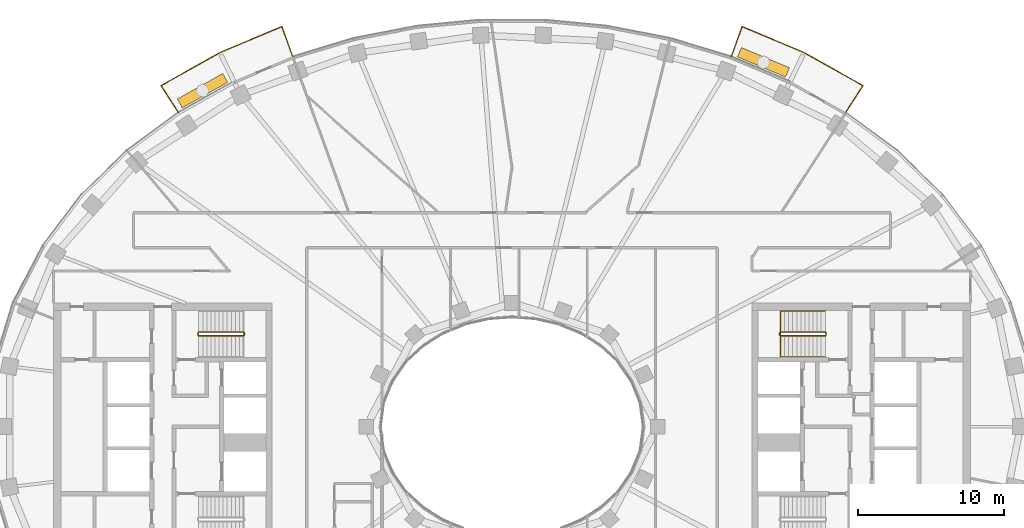
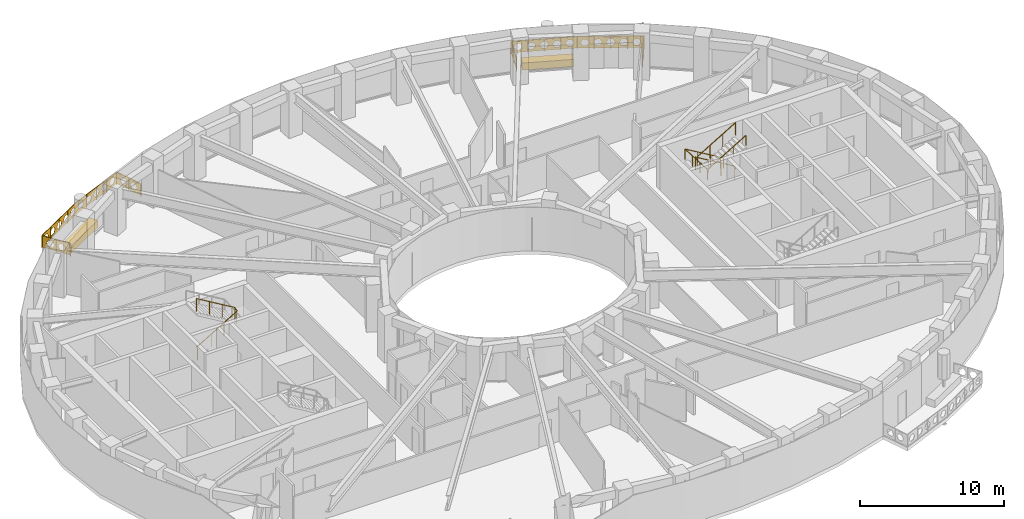
# One storey, part 14 of 15: 5 railings, 2 coverings.
"""IFC4 building model written with IfcOpenShell, lengths in metres."""

from ifc_helpers import new_model, si_unit, direction, frame, origin, origin_2d, place, context, subcontext, project, spatial, polyline, rectangle, outline, extrude, material, type_object, element, save


model = new_model("IFC4")

# Units and contexts
model_context = context("Model", 3, precision=1e-05, world=origin(), true_north=direction((0.0, 1.0)))
body_context = subcontext(model_context, "Body", "Model", "MODEL_VIEW")
ifc_project = project(units=[si_unit("LENGTHUNIT", "METRE"), si_unit("AREAUNIT", "SQUARE_METRE"), si_unit("VOLUMEUNIT", "CUBIC_METRE"), si_unit("PLANEANGLEUNIT", "RADIAN"), si_unit("MASSUNIT", "GRAM", prefix="KILO")], contexts=[model_context])

# Site, building, storey
site_placement = place(None, origin())
site = spatial("IfcSite", under=ifc_project, at=site_placement, CompositionType="ELEMENT")
building_placement = place(site_placement, origin())
building = spatial("IfcBuilding", under=site, at=building_placement, Name="Noorbagh Ring Tower", CompositionType="ELEMENT")
storey_placement = place(building_placement, frame((0.0, 0.0, 253.5)))
storey = spatial("IfcBuildingStorey", under=building, at=storey_placement, Name="L53", CompositionType="ELEMENT", Elevation=253.5)

# Railings
ifc_material_1 = material(Name="Stainless steel", Category="steel")
railing_type_1 = type_object("IfcRailingType", Name="CORE-STAIR-GUARD", PredefinedType="GUARDRAIL", material=ifc_material_1)
railing_1_placement = place(storey_placement, frame((-21.580078125, 6.300048828125, 0.0)))
element("IfcRailing", 1, at=railing_1_placement, inside=storey, type_object=railing_type_1, Name="L53 ST1 stair guard", PredefinedType="GUARDRAIL", context=body_context, shape_type="SweptSolid", body=[
    extrude(rectangle(XDim=0.048095703125, YDim=0.048095703125, at=origin_2d()), frame((0.0, 0.0, 1.076171875), z_axis=(0.0, 1.0, 0.0), x_axis=(-1.0, 0.0, 0.0)), (0.0, 0.0, 1.0), 0.14990234375),
    extrude(rectangle(XDim=0.048095703125, YDim=0.048095703125, at=origin_2d()), frame((0.0, 0.14990234375, 1.076171875), z_axis=(0.188775798145, -0.754182335027, 0.628945707965), x_axis=(0.970072785993, 0.242814311512, 0.0)), (0.0, 0.0, 1.0), 0.26513671875),
    extrude(rectangle(XDim=0.048095703125, YDim=0.048095703125, at=origin_2d()), frame((0.050048828125, -0.050048828125, 1.24267578125), z_axis=(0.859308565015, 0.0, 0.511457515432), x_axis=(0.0, 1.0, 0.0)), (0.0, 0.0, 1.0), 3.58447265625),
    extrude(rectangle(XDim=0.048095703125, YDim=0.048095703125, at=origin_2d()), frame((3.130126953125, -0.050048828125, 3.076171875), z_axis=(0.707106781187, 0.707106781187, 0.0), x_axis=(-0.707106781187, 0.707106781187, 0.0)), (0.0, 0.0, 1.0), 0.07080078125),
    extrude(rectangle(XDim=0.048095703125, YDim=0.048095703125, at=origin_2d()), frame((3.18017578125, 0.0, 3.076171875), z_axis=(0.0, 1.0, 0.0), x_axis=(-1.0, 0.0, 0.0)), (0.0, 0.0, 1.0), 0.14990234375),
    extrude(rectangle(XDim=0.048095703125, YDim=0.048095703125, at=origin_2d()), frame((3.18017578125, 0.14990234375, 3.076171875), z_axis=(-0.27628659633, 0.27628659633, 0.920506074601), x_axis=(-0.707106781187, -0.707106781187, 0.0)), (0.0, 0.0, 1.0), 0.18115234375),
    extrude(rectangle(XDim=0.048095703125, YDim=0.048095703125, at=origin_2d()), frame((3.130126953125, 0.199951171875, 3.24267578125), z_axis=(-0.859308565015, 0.0, 0.511457515432), x_axis=(0.0, -1.0, 0.0)), (0.0, 0.0, 1.0), 3.58447265625),
    extrude(rectangle(XDim=0.0419921875, YDim=0.0419921875, at=origin_2d()), origin(), (0.0, 0.0, 1.0), 1.052001953125),
    extrude(rectangle(XDim=0.0419921875, YDim=0.0419921875, at=origin_2d()), frame((1.07666015625, -0.050048828125, 0.77783203125)), (0.0, 0.0, 1.0), 1.052001953125),
    extrude(rectangle(XDim=0.0419921875, YDim=0.0419921875, at=origin_2d()), frame((2.103515625, -0.050048828125, 1.388916015625)), (0.0, 0.0, 1.0), 1.052001953125),
    extrude(rectangle(XDim=0.0419921875, YDim=0.0419921875, at=origin_2d()), frame((3.130126953125, -0.050048828125, 2.0)), (0.0, 0.0, 1.0), 1.052001953125),
    extrude(rectangle(XDim=0.0419921875, YDim=0.0419921875, at=origin_2d()), frame((3.130126953125, 0.199951171875, 2.166748046875)), (0.0, 0.0, 1.0), 1.052001953125),
    extrude(rectangle(XDim=0.0419921875, YDim=0.0419921875, at=origin_2d()), frame((2.103515625, 0.199951171875, 2.77783203125)), (0.0, 0.0, 1.0), 1.052001953125),
    extrude(rectangle(XDim=0.0419921875, YDim=0.0419921875, at=origin_2d()), frame((1.07666015625, 0.199951171875, 3.388916015625)), (0.0, 0.0, 1.0), 1.052001953125),
    extrude(rectangle(XDim=0.0419921875, YDim=0.0419921875, at=origin_2d()), frame((0.050048828125, 0.199951171875, 4.0)), (0.0, 0.0, 1.0), 1.052001953125),
])
railing_2_placement = place(storey_placement, frame((21.580078125, 6.449951171875, 0.0)))
element("IfcRailing", 2, at=railing_2_placement, inside=storey, type_object=railing_type_1, Name="L53 ST3 stair guard", PredefinedType="GUARDRAIL", context=body_context, shape_type="SweptSolid", body=[
    extrude(rectangle(XDim=0.048095703125, YDim=0.048095703125, at=origin_2d()), frame((0.0, 0.0, 1.076171875), z_axis=(0.0, -1.0, 0.0), x_axis=(1.0, 0.0, 0.0)), (0.0, 0.0, 1.0), 0.14990234375),
    extrude(rectangle(XDim=0.048095703125, YDim=0.048095703125, at=origin_2d()), frame((0.0, -0.14990234375, 1.076171875), z_axis=(-0.188775798145, 0.754182335027, 0.628945707965), x_axis=(-0.970072785993, -0.242814311512, 0.0)), (0.0, 0.0, 1.0), 0.26513671875),
    extrude(rectangle(XDim=0.048095703125, YDim=0.048095703125, at=origin_2d()), frame((-0.050048828125, 0.050048828125, 1.24267578125), z_axis=(-0.859308565015, 0.0, 0.511457515432), x_axis=(0.0, -1.0, 0.0)), (0.0, 0.0, 1.0), 3.58447265625),
    extrude(rectangle(XDim=0.048095703125, YDim=0.048095703125, at=origin_2d()), frame((-3.130126953125, 0.050048828125, 3.076171875), z_axis=(-0.707106781187, -0.707106781187, 0.0), x_axis=(0.707106781187, -0.707106781187, 0.0)), (0.0, 0.0, 1.0), 0.07080078125),
    extrude(rectangle(XDim=0.048095703125, YDim=0.048095703125, at=origin_2d()), frame((-3.18017578125, 0.0, 3.076171875), z_axis=(0.0, -1.0, 0.0), x_axis=(1.0, 0.0, 0.0)), (0.0, 0.0, 1.0), 0.14990234375),
    extrude(rectangle(XDim=0.048095703125, YDim=0.048095703125, at=origin_2d()), frame((-3.18017578125, -0.14990234375, 3.076171875), z_axis=(0.27628659633, -0.27628659633, 0.920506074601), x_axis=(0.707106781187, 0.707106781187, 0.0)), (0.0, 0.0, 1.0), 0.18115234375),
    extrude(rectangle(XDim=0.048095703125, YDim=0.048095703125, at=origin_2d()), frame((-3.130126953125, -0.199951171875, 3.24267578125), z_axis=(0.859308565015, 0.0, 0.511457515432), x_axis=(0.0, 1.0, 0.0)), (0.0, 0.0, 1.0), 3.58447265625),
    extrude(rectangle(XDim=0.0419921875, YDim=0.0419921875, at=origin_2d()), origin(), (0.0, 0.0, 1.0), 1.052001953125),
    extrude(rectangle(XDim=0.0419921875, YDim=0.0419921875, at=origin_2d()), frame((-1.07666015625, 0.050048828125, 0.77783203125)), (0.0, 0.0, 1.0), 1.052001953125),
    extrude(rectangle(XDim=0.0419921875, YDim=0.0419921875, at=origin_2d()), frame((-2.103515625, 0.050048828125, 1.388916015625)), (0.0, 0.0, 1.0), 1.052001953125),
    extrude(rectangle(XDim=0.0419921875, YDim=0.0419921875, at=origin_2d()), frame((-3.130126953125, 0.050048828125, 2.0)), (0.0, 0.0, 1.0), 1.052001953125),
    extrude(rectangle(XDim=0.0419921875, YDim=0.0419921875, at=origin_2d()), frame((-3.130126953125, -0.199951171875, 2.166748046875)), (0.0, 0.0, 1.0), 1.052001953125),
    extrude(rectangle(XDim=0.0419921875, YDim=0.0419921875, at=origin_2d()), frame((-2.103515625, -0.199951171875, 2.77783203125)), (0.0, 0.0, 1.0), 1.052001953125),
    extrude(rectangle(XDim=0.0419921875, YDim=0.0419921875, at=origin_2d()), frame((-1.07666015625, -0.199951171875, 3.388916015625)), (0.0, 0.0, 1.0), 1.052001953125),
    extrude(rectangle(XDim=0.0419921875, YDim=0.0419921875, at=origin_2d()), frame((-0.050048828125, -0.199951171875, 4.0)), (0.0, 0.0, 1.0), 1.052001953125),
])
ifc_material_2 = material(Name="Stainless steel", Category="steel")
railing_type_2 = type_object("IfcRailingType", Name="CORE-STAIR-HANDRAIL", PredefinedType="HANDRAIL", material=ifc_material_2)
railing_3_placement = place(storey_placement, frame((21.530029296875, 7.949951171875, 0.166748046875)))
element("IfcRailing", 3, at=railing_3_placement, inside=storey, type_object=railing_type_2, Name="L53 ST3 stair handrail", PredefinedType="HANDRAIL", context=body_context, shape_type="SweptSolid", body=[
    extrude(rectangle(XDim=0.048095703125, YDim=0.048095703125, at=origin_2d()), frame((0.0, 0.0, 0.8759765625), z_axis=(-0.859308565015, 0.0, 0.511457515432), x_axis=(0.0, -1.0, 0.0)), (0.0, 0.0, 1.0), 3.58447265625),
    extrude(rectangle(XDim=0.048095703125, YDim=0.048095703125, at=origin_2d()), frame((-3.080078125, 0.0, 2.708984375), z_axis=(0.0, -0.998601747152, 0.052863509014), x_axis=(1.0, 0.0, 0.0)), (0.0, 0.0, 1.0), 3.154296875),
    extrude(rectangle(XDim=0.048095703125, YDim=0.048095703125, at=origin_2d()), frame((-3.080078125, -3.14990234375, 2.8759765625), z_axis=(0.859308565015, 0.0, 0.511457515432), x_axis=(0.0, 1.0, 0.0)), (0.0, 0.0, 1.0), 3.58447265625),
    extrude(rectangle(XDim=0.0419921875, YDim=0.0419921875, at=origin_2d()), origin(), (0.0, 0.0, 1.0), 0.851806640625),
    extrude(rectangle(XDim=0.0419921875, YDim=0.0419921875, at=origin_2d()), frame((-1.026611328125, 0.0, 0.611083984375)), (0.0, 0.0, 1.0), 0.851806640625),
    extrude(rectangle(XDim=0.0419921875, YDim=0.0419921875, at=origin_2d()), frame((-2.053466796875, 0.0, 1.22216796875)), (0.0, 0.0, 1.0), 0.851806640625),
    extrude(rectangle(XDim=0.0419921875, YDim=0.0419921875, at=origin_2d()), frame((-3.080078125, 0.0, 1.833251953125)), (0.0, 0.0, 1.0), 0.851806640625),
    extrude(rectangle(XDim=0.0419921875, YDim=0.0419921875, at=origin_2d()), frame((-3.080078125, -1.050048828125, 1.888916015625)), (0.0, 0.0, 1.0), 0.851806640625),
    extrude(rectangle(XDim=0.0419921875, YDim=0.0419921875, at=origin_2d()), frame((-3.080078125, -2.099853515625, 1.9443359375)), (0.0, 0.0, 1.0), 0.851806640625),
    extrude(rectangle(XDim=0.0419921875, YDim=0.0419921875, at=origin_2d()), frame((-3.080078125, -3.14990234375, 2.0)), (0.0, 0.0, 1.0), 0.851806640625),
    extrude(rectangle(XDim=0.0419921875, YDim=0.0419921875, at=origin_2d()), frame((-2.053466796875, -3.14990234375, 2.611083984375)), (0.0, 0.0, 1.0), 0.851806640625),
    extrude(rectangle(XDim=0.0419921875, YDim=0.0419921875, at=origin_2d()), frame((-1.026611328125, -3.14990234375, 3.22216796875)), (0.0, 0.0, 1.0), 0.851806640625),
    extrude(rectangle(XDim=0.0419921875, YDim=0.0419921875, at=origin_2d()), frame((0.0, -3.14990234375, 3.833251953125)), (0.0, 0.0, 1.0), 0.851806640625),
])
ifc_material_3 = material(Name="Steel S275 black powder-coated", Category="steel")
railing_type_3 = type_object("IfcRailingType", Name="ENV-GUARD", PredefinedType="GUARDRAIL", material=ifc_material_3)
railing_4_placement = place(storey_placement, frame((22.9326171875, 21.583740234375, 0.0)))
element("IfcRailing", 4, at=railing_4_placement, inside=storey, type_object=railing_type_3, Name="Balcony guard BN02", PredefinedType="GUARDRAIL", context=body_context, shape_type="SweptSolid", body=[
    extrude(rectangle(XDim=0.048095703125, YDim=0.048095703125, at=origin_2d()), frame((0.0, 0.0, 1.076171875), z_axis=(0.542268136821, 0.840205491406, 0.0), x_axis=(-0.840205491406, 0.542268136821, 0.0)), (0.0, 0.0, 1.0), 2.204345703125),
    extrude(rectangle(XDim=0.048095703125, YDim=0.048095703125, at=origin_2d()), frame((1.1953125, 1.85205078125, 1.076171875), z_axis=(-0.872052247658, 0.489412788303, 0.0), x_axis=(-0.489412788303, -0.872052247658, 0.0)), (0.0, 0.0, 1.0), 4.646240234375),
    extrude(rectangle(XDim=0.048095703125, YDim=0.048095703125, at=origin_2d()), frame((-2.8564453125, 4.1259765625, 1.076171875), z_axis=(-0.921809087722, 0.387644174203, 0.0), x_axis=(-0.387644174203, -0.921809087722, 0.0)), (0.0, 0.0, 1.0), 4.627197265625),
    extrude(rectangle(XDim=0.048095703125, YDim=0.048095703125, at=origin_2d()), frame((-7.121826171875, 5.919677734375, 1.076171875), z_axis=(-0.338350546839, -0.941020141896, 0.0), x_axis=(0.941020141896, -0.338350546839, 0.0)), (0.0, 0.0, 1.0), 2.202880859375),
    extrude(rectangle(XDim=0.0419921875, YDim=0.0419921875, at=origin_2d()), origin(), (0.0, 0.0, 1.0), 1.052001953125),
    extrude(rectangle(XDim=0.0419921875, YDim=0.0419921875, at=origin_2d()), frame((0.59765625, 0.926025390625, 0.0)), (0.0, 0.0, 1.0), 1.052001953125),
    extrude(rectangle(XDim=0.0419921875, YDim=0.0419921875, at=origin_2d()), frame((1.1953125, 1.85205078125, 0.0)), (0.0, 0.0, 1.0), 1.052001953125),
    extrude(rectangle(XDim=0.0419921875, YDim=0.0419921875, at=origin_2d()), frame((0.182373046875, 2.42041015625, 0.0)), (0.0, 0.0, 1.0), 1.052001953125),
    extrude(rectangle(XDim=0.0419921875, YDim=0.0419921875, at=origin_2d()), frame((-0.83056640625, 2.989013671875, 0.0)), (0.0, 0.0, 1.0), 1.052001953125),
    extrude(rectangle(XDim=0.0419921875, YDim=0.0419921875, at=origin_2d()), frame((-1.843505859375, 3.5576171875, 0.0)), (0.0, 0.0, 1.0), 1.052001953125),
    extrude(rectangle(XDim=0.0419921875, YDim=0.0419921875, at=origin_2d()), frame((-2.8564453125, 4.1259765625, 0.0)), (0.0, 0.0, 1.0), 1.052001953125),
    extrude(rectangle(XDim=0.0419921875, YDim=0.0419921875, at=origin_2d()), frame((-3.9228515625, 4.574462890625, 0.0)), (0.0, 0.0, 1.0), 1.052001953125),
    extrude(rectangle(XDim=0.0419921875, YDim=0.0419921875, at=origin_2d()), frame((-4.9892578125, 5.02294921875, 0.0)), (0.0, 0.0, 1.0), 1.052001953125),
    extrude(rectangle(XDim=0.0419921875, YDim=0.0419921875, at=origin_2d()), frame((-6.055419921875, 5.47119140625, 0.0)), (0.0, 0.0, 1.0), 1.052001953125),
    extrude(rectangle(XDim=0.0419921875, YDim=0.0419921875, at=origin_2d()), frame((-7.121826171875, 5.919677734375, 0.0)), (0.0, 0.0, 1.0), 1.052001953125),
    extrude(rectangle(XDim=0.0419921875, YDim=0.0419921875, at=origin_2d()), frame((-7.49462890625, 4.88330078125, 0.0)), (0.0, 0.0, 1.0), 1.052001953125),
    extrude(rectangle(XDim=0.0419921875, YDim=0.0419921875, at=origin_2d()), frame((-7.8671875, 3.8466796875, 0.0)), (0.0, 0.0, 1.0), 1.052001953125),
    extrude(outline(polyline([(0.0, 0.10009765625), (2.204345703125, 0.10009765625), (2.204345703125, 1.031982421875), (0.0, 1.031982421875), (0.0, 0.10009765625)]), holes=[polyline([(0.962158203125, 0.56591796875), (0.80712890625, 0.83447265625), (0.4970703125, 0.83447265625), (0.342041015625, 0.56591796875), (0.4970703125, 0.297607421875), (0.80712890625, 0.297607421875), (0.962158203125, 0.56591796875)]), polyline([(1.862060546875, 0.56591796875), (1.70703125, 0.83447265625), (1.397216796875, 0.83447265625), (1.2421875, 0.56591796875), (1.397216796875, 0.297607421875), (1.70703125, 0.297607421875), (1.862060546875, 0.56591796875)])]), frame((-0.00830078125, 0.00537109375, 0.0), z_axis=(0.840205491406, -0.542268136821, 0.0), x_axis=(0.542268136821, 0.840205491406, 0.0)), (0.0, 0.0, 1.0), 0.02001953125),
    extrude(outline(polyline([(0.0, 0.10009765625), (4.646240234375, 0.10009765625), (4.646240234375, 1.031982421875), (0.0, 1.031982421875), (0.0, 0.10009765625)]), holes=[polyline([(0.8330078125, 0.56591796875), (0.67822265625, 0.83447265625), (0.3681640625, 0.83447265625), (0.213134765625, 0.56591796875), (0.3681640625, 0.297607421875), (0.67822265625, 0.297607421875), (0.8330078125, 0.56591796875)]), polyline([(1.733154296875, 0.56591796875), (1.578125, 0.83447265625), (1.26806640625, 0.83447265625), (1.113037109375, 0.56591796875), (1.26806640625, 0.297607421875), (1.578125, 0.297607421875), (1.733154296875, 0.56591796875)]), polyline([(2.633056640625, 0.56591796875), (2.47802734375, 0.83447265625), (2.168212890625, 0.83447265625), (2.01318359375, 0.56591796875), (2.168212890625, 0.297607421875), (2.47802734375, 0.297607421875), (2.633056640625, 0.56591796875)]), polyline([(3.533203125, 0.56591796875), (3.378173828125, 0.83447265625), (3.068115234375, 0.83447265625), (2.9130859375, 0.56591796875), (3.068115234375, 0.297607421875), (3.378173828125, 0.297607421875), (3.533203125, 0.56591796875)]), polyline([(4.43310546875, 0.56591796875), (4.278076171875, 0.83447265625), (3.968017578125, 0.83447265625), (3.813232421875, 0.56591796875), (3.968017578125, 0.297607421875), (4.278076171875, 0.297607421875), (4.43310546875, 0.56591796875)])]), frame((1.1904296875, 1.84326171875, 0.0), z_axis=(0.489412788303, 0.872052247658, 0.0), x_axis=(-0.872052247658, 0.489412788303, 0.0)), (0.0, 0.0, 1.0), 0.02001953125),
    extrude(outline(polyline([(0.0, 0.10009765625), (4.627197265625, 0.10009765625), (4.627197265625, 1.031982421875), (0.0, 1.031982421875), (0.0, 0.10009765625)]), holes=[polyline([(0.823486328125, 0.56591796875), (0.668701171875, 0.83447265625), (0.358642578125, 0.83447265625), (0.20361328125, 0.56591796875), (0.358642578125, 0.297607421875), (0.668701171875, 0.297607421875), (0.823486328125, 0.56591796875)]), polyline([(1.7236328125, 0.56591796875), (1.568603515625, 0.83447265625), (1.258544921875, 0.83447265625), (1.103515625, 0.56591796875), (1.258544921875, 0.297607421875), (1.568603515625, 0.297607421875), (1.7236328125, 0.56591796875)]), polyline([(2.62353515625, 0.56591796875), (2.468505859375, 0.83447265625), (2.15869140625, 0.83447265625), (2.003662109375, 0.56591796875), (2.15869140625, 0.297607421875), (2.468505859375, 0.297607421875), (2.62353515625, 0.56591796875)]), polyline([(3.523681640625, 0.56591796875), (3.36865234375, 0.83447265625), (3.05859375, 0.83447265625), (2.903564453125, 0.56591796875), (3.05859375, 0.297607421875), (3.36865234375, 0.297607421875), (3.523681640625, 0.56591796875)]), polyline([(4.423583984375, 0.56591796875), (4.2685546875, 0.83447265625), (3.95849609375, 0.83447265625), (3.8037109375, 0.56591796875), (3.95849609375, 0.297607421875), (4.2685546875, 0.297607421875), (4.423583984375, 0.56591796875)])]), frame((-2.8603515625, 4.11669921875, 0.0), z_axis=(0.387644174203, 0.921809087722, 0.0), x_axis=(-0.921809087722, 0.387644174203, 0.0)), (0.0, 0.0, 1.0), 0.02001953125),
    extrude(outline(polyline([(0.0, 0.10009765625), (2.202880859375, 0.10009765625), (2.202880859375, 1.031982421875), (0.0, 1.031982421875), (0.0, 0.10009765625)]), holes=[polyline([(0.96142578125, 0.56591796875), (0.806396484375, 0.83447265625), (0.49658203125, 0.83447265625), (0.341552734375, 0.56591796875), (0.49658203125, 0.297607421875), (0.806396484375, 0.297607421875), (0.96142578125, 0.56591796875)]), polyline([(1.861572265625, 0.56591796875), (1.70654296875, 0.83447265625), (1.396484375, 0.83447265625), (1.241455078125, 0.56591796875), (1.396484375, 0.297607421875), (1.70654296875, 0.297607421875), (1.861572265625, 0.56591796875)])]), frame((-7.1123046875, 5.916259765625, 0.0), z_axis=(-0.941020141896, 0.338350546839, 0.0), x_axis=(-0.338350546839, -0.941020141896, 0.0)), (0.0, 0.0, 1.0), 0.02001953125),
])
railing_5_placement = place(storey_placement, frame((-15.0654296875, 25.430419921875, 0.0)))
element("IfcRailing", 5, at=railing_5_placement, inside=storey, type_object=railing_type_3, Name="Balcony guard BN05", PredefinedType="GUARDRAIL", context=body_context, shape_type="SweptSolid", body=[
    extrude(rectangle(XDim=0.048095703125, YDim=0.048095703125, at=origin_2d()), frame((0.0, 0.0, 1.076171875), z_axis=(-0.338350546839, 0.941020141896, 0.0), x_axis=(-0.941020141896, -0.338350546839, 0.0)), (0.0, 0.0, 1.0), 2.202880859375),
    extrude(rectangle(XDim=0.048095703125, YDim=0.048095703125, at=origin_2d()), frame((-0.745361328125, 2.072998046875, 1.076171875), z_axis=(-0.921809087722, -0.387644174203, 0.0), x_axis=(0.387644174203, -0.921809087722, 0.0)), (0.0, 0.0, 1.0), 4.627197265625),
    extrude(rectangle(XDim=0.048095703125, YDim=0.048095703125, at=origin_2d()), frame((-5.0107421875, 0.279296875, 1.076171875), z_axis=(-0.872052247658, -0.489412788303, 0.0), x_axis=(0.489412788303, -0.872052247658, 0.0)), (0.0, 0.0, 1.0), 4.646240234375),
    extrude(rectangle(XDim=0.048095703125, YDim=0.048095703125, at=origin_2d()), frame((-9.0625, -1.99462890625, 1.076171875), z_axis=(0.542268136821, -0.840205491406, 0.0), x_axis=(0.840205491406, 0.542268136821, 0.0)), (0.0, 0.0, 1.0), 2.204345703125),
    extrude(rectangle(XDim=0.0419921875, YDim=0.0419921875, at=origin_2d()), origin(), (0.0, 0.0, 1.0), 1.052001953125),
    extrude(rectangle(XDim=0.0419921875, YDim=0.0419921875, at=origin_2d()), frame((-0.37255859375, 1.03662109375, 0.0)), (0.0, 0.0, 1.0), 1.052001953125),
    extrude(rectangle(XDim=0.0419921875, YDim=0.0419921875, at=origin_2d()), frame((-0.745361328125, 2.072998046875, 0.0)), (0.0, 0.0, 1.0), 1.052001953125),
    extrude(rectangle(XDim=0.0419921875, YDim=0.0419921875, at=origin_2d()), frame((-1.811767578125, 1.62451171875, 0.0)), (0.0, 0.0, 1.0), 1.052001953125),
    extrude(rectangle(XDim=0.0419921875, YDim=0.0419921875, at=origin_2d()), frame((-2.8779296875, 1.17626953125, 0.0)), (0.0, 0.0, 1.0), 1.052001953125),
    extrude(rectangle(XDim=0.0419921875, YDim=0.0419921875, at=origin_2d()), frame((-3.9443359375, 0.727783203125, 0.0)), (0.0, 0.0, 1.0), 1.052001953125),
    extrude(rectangle(XDim=0.0419921875, YDim=0.0419921875, at=origin_2d()), frame((-5.0107421875, 0.279296875, 0.0)), (0.0, 0.0, 1.0), 1.052001953125),
    extrude(rectangle(XDim=0.0419921875, YDim=0.0419921875, at=origin_2d()), frame((-6.023681640625, -0.2890625, 0.0)), (0.0, 0.0, 1.0), 1.052001953125),
    extrude(rectangle(XDim=0.0419921875, YDim=0.0419921875, at=origin_2d()), frame((-7.03662109375, -0.857666015625, 0.0)), (0.0, 0.0, 1.0), 1.052001953125),
    extrude(rectangle(XDim=0.0419921875, YDim=0.0419921875, at=origin_2d()), frame((-8.049560546875, -1.42626953125, 0.0)), (0.0, 0.0, 1.0), 1.052001953125),
    extrude(rectangle(XDim=0.0419921875, YDim=0.0419921875, at=origin_2d()), frame((-9.0625, -1.99462890625, 0.0)), (0.0, 0.0, 1.0), 1.052001953125),
    extrude(rectangle(XDim=0.0419921875, YDim=0.0419921875, at=origin_2d()), frame((-8.46484375, -2.920654296875, 0.0)), (0.0, 0.0, 1.0), 1.052001953125),
    extrude(rectangle(XDim=0.0419921875, YDim=0.0419921875, at=origin_2d()), frame((-7.8671875, -3.8466796875, 0.0)), (0.0, 0.0, 1.0), 1.052001953125),
    extrude(outline(polyline([(0.0, 0.10009765625), (2.202880859375, 0.10009765625), (2.202880859375, 1.031982421875), (0.0, 1.031982421875), (0.0, 0.10009765625)]), holes=[polyline([(0.96142578125, 0.56591796875), (0.806396484375, 0.83447265625), (0.49658203125, 0.83447265625), (0.341552734375, 0.56591796875), (0.49658203125, 0.297607421875), (0.806396484375, 0.297607421875), (0.96142578125, 0.56591796875)]), polyline([(1.861572265625, 0.56591796875), (1.70654296875, 0.83447265625), (1.396484375, 0.83447265625), (1.241455078125, 0.56591796875), (1.396484375, 0.297607421875), (1.70654296875, 0.297607421875), (1.861572265625, 0.56591796875)])]), frame((-0.009521484375, -0.00341796875, 0.0), z_axis=(0.941020141896, 0.338350546839, 0.0), x_axis=(-0.338350546839, 0.941020141896, 0.0)), (0.0, 0.0, 1.0), 0.02001953125),
    extrude(outline(polyline([(0.0, 0.10009765625), (4.627197265625, 0.10009765625), (4.627197265625, 1.031982421875), (0.0, 1.031982421875), (0.0, 0.10009765625)]), holes=[polyline([(0.823486328125, 0.56591796875), (0.668701171875, 0.83447265625), (0.358642578125, 0.83447265625), (0.20361328125, 0.56591796875), (0.358642578125, 0.297607421875), (0.668701171875, 0.297607421875), (0.823486328125, 0.56591796875)]), polyline([(1.7236328125, 0.56591796875), (1.568603515625, 0.83447265625), (1.258544921875, 0.83447265625), (1.103515625, 0.56591796875), (1.258544921875, 0.297607421875), (1.568603515625, 0.297607421875), (1.7236328125, 0.56591796875)]), polyline([(2.62353515625, 0.56591796875), (2.468505859375, 0.83447265625), (2.15869140625, 0.83447265625), (2.003662109375, 0.56591796875), (2.15869140625, 0.297607421875), (2.468505859375, 0.297607421875), (2.62353515625, 0.56591796875)]), polyline([(3.523681640625, 0.56591796875), (3.36865234375, 0.83447265625), (3.05859375, 0.83447265625), (2.903564453125, 0.56591796875), (3.05859375, 0.297607421875), (3.36865234375, 0.297607421875), (3.523681640625, 0.56591796875)]), polyline([(4.423583984375, 0.56591796875), (4.2685546875, 0.83447265625), (3.95849609375, 0.83447265625), (3.8037109375, 0.56591796875), (3.95849609375, 0.297607421875), (4.2685546875, 0.297607421875), (4.423583984375, 0.56591796875)])]), frame((-0.741455078125, 2.063720703125, 0.0), z_axis=(-0.387644174203, 0.921809087722, 0.0), x_axis=(-0.921809087722, -0.387644174203, 0.0)), (0.0, 0.0, 1.0), 0.02001953125),
    extrude(outline(polyline([(0.0, 0.10009765625), (4.646240234375, 0.10009765625), (4.646240234375, 1.031982421875), (0.0, 1.031982421875), (0.0, 0.10009765625)]), holes=[polyline([(0.8330078125, 0.56591796875), (0.67822265625, 0.83447265625), (0.3681640625, 0.83447265625), (0.213134765625, 0.56591796875), (0.3681640625, 0.297607421875), (0.67822265625, 0.297607421875), (0.8330078125, 0.56591796875)]), polyline([(1.733154296875, 0.56591796875), (1.578125, 0.83447265625), (1.26806640625, 0.83447265625), (1.113037109375, 0.56591796875), (1.26806640625, 0.297607421875), (1.578125, 0.297607421875), (1.733154296875, 0.56591796875)]), polyline([(2.633056640625, 0.56591796875), (2.47802734375, 0.83447265625), (2.168212890625, 0.83447265625), (2.01318359375, 0.56591796875), (2.168212890625, 0.297607421875), (2.47802734375, 0.297607421875), (2.633056640625, 0.56591796875)]), polyline([(3.533203125, 0.56591796875), (3.378173828125, 0.83447265625), (3.068115234375, 0.83447265625), (2.9130859375, 0.56591796875), (3.068115234375, 0.297607421875), (3.378173828125, 0.297607421875), (3.533203125, 0.56591796875)]), polyline([(4.43310546875, 0.56591796875), (4.278076171875, 0.83447265625), (3.968017578125, 0.83447265625), (3.813232421875, 0.56591796875), (3.968017578125, 0.297607421875), (4.278076171875, 0.297607421875), (4.43310546875, 0.56591796875)])]), frame((-5.005859375, 0.2705078125, 0.0), z_axis=(-0.489412788303, 0.872052247658, 0.0), x_axis=(-0.872052247658, -0.489412788303, 0.0)), (0.0, 0.0, 1.0), 0.02001953125),
    extrude(outline(polyline([(0.0, 0.10009765625), (2.204345703125, 0.10009765625), (2.204345703125, 1.031982421875), (0.0, 1.031982421875), (0.0, 0.10009765625)]), holes=[polyline([(0.962158203125, 0.56591796875), (0.80712890625, 0.83447265625), (0.4970703125, 0.83447265625), (0.342041015625, 0.56591796875), (0.4970703125, 0.297607421875), (0.80712890625, 0.297607421875), (0.962158203125, 0.56591796875)]), polyline([(1.862060546875, 0.56591796875), (1.70703125, 0.83447265625), (1.397216796875, 0.83447265625), (1.2421875, 0.56591796875), (1.397216796875, 0.297607421875), (1.70703125, 0.297607421875), (1.862060546875, 0.56591796875)])]), frame((-9.05419921875, -1.9892578125, 0.0), z_axis=(-0.840205491406, -0.542268136821, 0.0), x_axis=(0.542268136821, -0.840205491406, 0.0)), (0.0, 0.0, 1.0), 0.02001953125),
])

# Coverings
ifc_material_4 = material(Name="Concrete C30/37 planter with soil", Category="concrete")
covering_type = type_object("IfcCoveringType", Name="ENV-PLANTER", PredefinedType="CLADDING", material=ifc_material_4)
covering_1_placement = place(storey_placement, frame((17.280517578125, 25.041259765625, 0.0), z_axis=(0.0, 0.0, 1.0), x_axis=(-0.921811566494, 0.387638279686, 0.0)))
element("IfcCovering", 6, at=covering_1_placement, inside=storey, type_object=covering_type, Name="PLANTER BN02", ObjectType="PLANTER", PredefinedType="CLADDING", context=body_context, shape_type="SweptSolid", body=[
    extrude(rectangle(XDim=3.5859375, YDim=0.699951171875, at=origin_2d()), origin(), (0.0, 0.0, 1.0), 0.60009765625),
])
covering_2_placement = place(storey_placement, frame((-21.26513671875, 23.093017578125, 0.0), z_axis=(0.0, 0.0, 1.0), x_axis=(-0.872044586249, -0.48942643941, 0.0)))
element("IfcCovering", 7, at=covering_2_placement, inside=storey, type_object=covering_type, Name="PLANTER BN05", ObjectType="PLANTER", PredefinedType="CLADDING", context=body_context, shape_type="SweptSolid", body=[
    extrude(rectangle(XDim=3.58544921875, YDim=0.699951171875, at=origin_2d()), origin(), (0.0, 0.0, 1.0), 0.60009765625),
])

save(model, "model.ifc")
